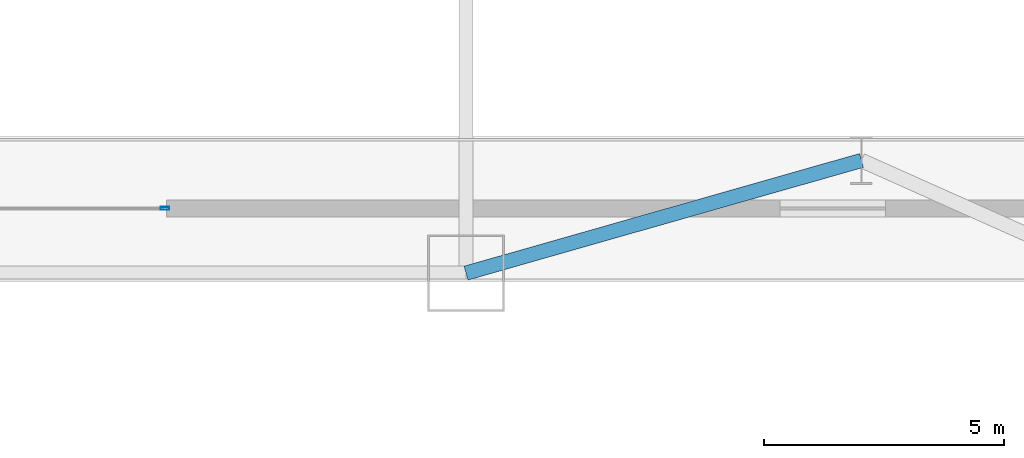
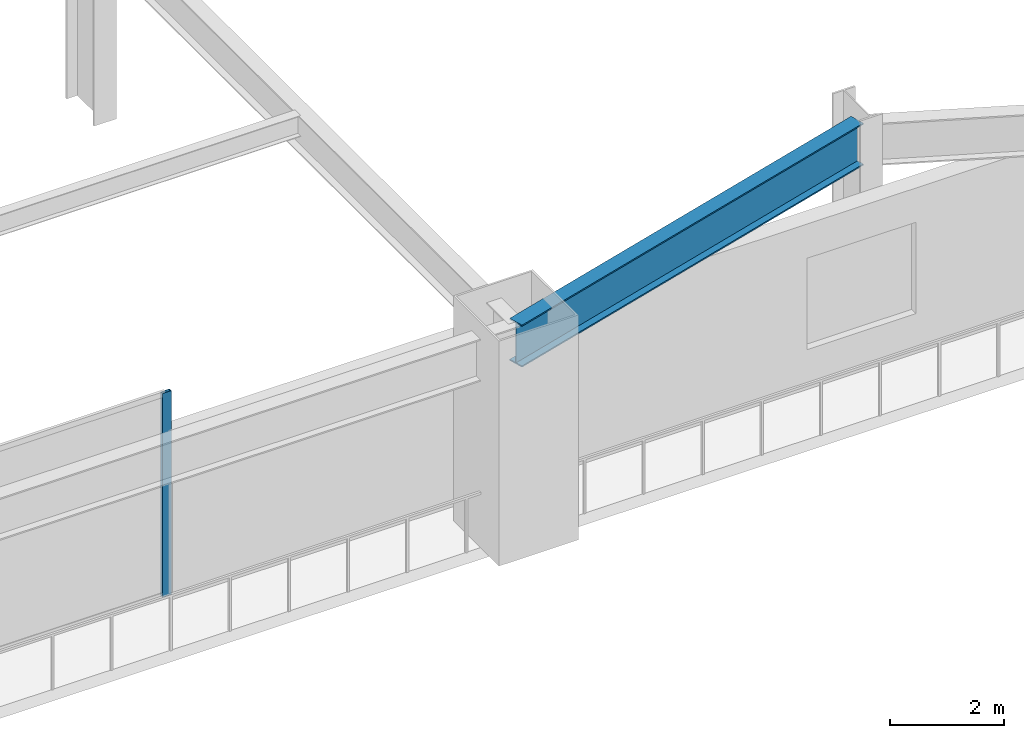
# One storey, part 6 of 35: 1 beam, 1 member, 1 element without a shape of its own.
"""IFC4 building model written with IfcOpenShell, lengths in metres."""

from ifc_helpers import new_model, si_unit, direction, frame, origin, origin_2d, place, context, subcontext, project, spatial, hollow_rectangle, i_section, extrude, material, layer, layer_set, material_profile, profile_set, type_object, element, aggregate, save


model = new_model("IFC4")

# Units and contexts
model_context = context("Model", 3, precision=1e-05, world=origin(), true_north=direction((0.0, 1.0)))
body_context = subcontext(model_context, "Body", "Model", "MODEL_VIEW")
ifc_project = project(units=[si_unit("LENGTHUNIT", "METRE"), si_unit("AREAUNIT", "SQUARE_METRE"), si_unit("VOLUMEUNIT", "CUBIC_METRE"), si_unit("PLANEANGLEUNIT", "RADIAN"), si_unit("MASSUNIT", "GRAM", prefix="KILO")], contexts=[model_context])

# Site, building, storey
site_placement = place(None, origin())
site = spatial("IfcSite", under=ifc_project, at=site_placement, CompositionType="ELEMENT")
building_placement = place(site_placement, origin())
building = spatial("IfcBuilding", under=site, at=building_placement, Name="Haevon Station Towers", CompositionType="ELEMENT")
storey_placement = place(building_placement, frame((0.0, 0.0, 20.39990234375)))
storey = spatial("IfcBuildingStorey", under=building, at=storey_placement, Name="L04", CompositionType="ELEMENT", Elevation=20.39990234375)

# Beam
ifc_material_1 = material(Name="Steel S355", Category="steel")
ifc_material_profile_1 = material_profile(ifc_material_1, i_section(OverallWidth=0.300048828125, OverallDepth=0.89990234375, WebThickness=0.01611328125, FlangeThickness=0.028076171875, at=origin_2d()), Name="H-900x300x16x28")
ifc_profile_set_1 = profile_set([ifc_material_profile_1], Name="Steel S355")
beam_type = type_object("IfcBeamType", Name="BM-PG900", PredefinedType="BEAM", material=ifc_profile_set_1)
beam_placement = place(storey_placement, frame((64.75, 15.14990234375, 4.0), z_axis=(0.961740592782, 0.273961734911, 0.0), x_axis=(-0.273961734911, 0.961740592782, 0.0)))
element("IfcBeam", 1, at=beam_placement, inside=storey, type_object=beam_type, Name="BM-PODLKS1-L04", PredefinedType="BEAM", context=body_context, shape_type="SweptSolid", body=[
    extrude(i_section(OverallWidth=0.300048828125, OverallDepth=0.89990234375, WebThickness=0.01611328125, FlangeThickness=0.028076171875, at=origin_2d()), origin(), (0.0, 0.0, 1.0), 8.578125),
])

# Curtain wall, member
ifc_material_2 = material(Name="Anodised aluminium and Low-E double glazing", Category="aluminium")
ifc_layer = layer(ifc_material_2, 0.179931640625)
ifc_layer_set = layer_set([ifc_layer], Name="Anodised aluminium and Low-E double glazing")
curtain_wall_type = type_object("IfcCurtainWallType", Name="CW-SYS2", PredefinedType="NOTDEFINED", material=ifc_layer_set)
curtain_wall_placement = place(storey_placement, origin())
curtain_wall = element("IfcCurtainWall", 2, at=curtain_wall_placement, inside=storey, type_object=curtain_wall_type, Name="L04 Curtain Wall CW-POD-L04-S2", PredefinedType="NOTDEFINED")
ifc_material_3 = material(Name="Anodised aluminium 6063-T6", Category="aluminium")
ifc_material_profile_2 = material_profile(ifc_material_3, hollow_rectangle(XDim=0.06494140625, YDim=0.179931640625, WallThickness=0.00390625, at=origin_2d()), Name="CWM-180x65x4")
ifc_profile_set_2 = profile_set([ifc_material_profile_2], Name="Anodised aluminium 6063-T6")
member_type = type_object("IfcMemberType", Name="CWM-180", PredefinedType="MULLION", material=ifc_profile_set_2)
member_placement = place(storey_placement, frame((58.467529296875, 16.5, 0.0), z_axis=(0.0, 0.0, 1.0), x_axis=(0.0, -1.0, 0.0)))
member = element("IfcMember", 3, at=member_placement, type_object=member_type, Name="CW-SYS2 mullion 1", PredefinedType="MULLION", context=body_context, shape_type="SweptSolid", body=[
    extrude(hollow_rectangle(XDim=0.06494140625, YDim=0.179931640625, WallThickness=0.00390625, at=origin_2d()), origin(), (0.0, 0.0, 1.0), 4.35009765625),
])
aggregate(curtain_wall, [member])

save(model, "model.ifc")
